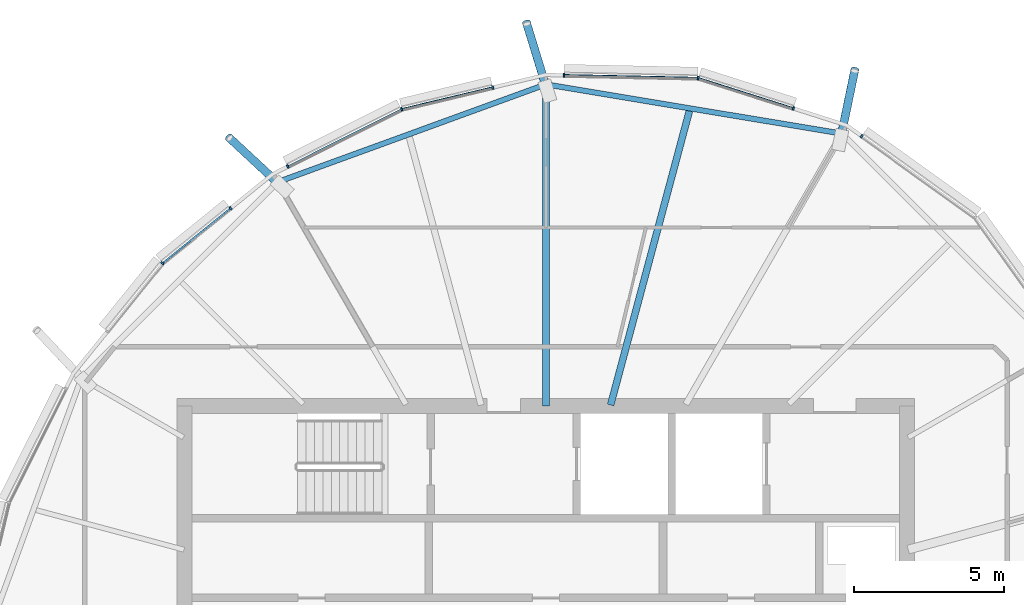
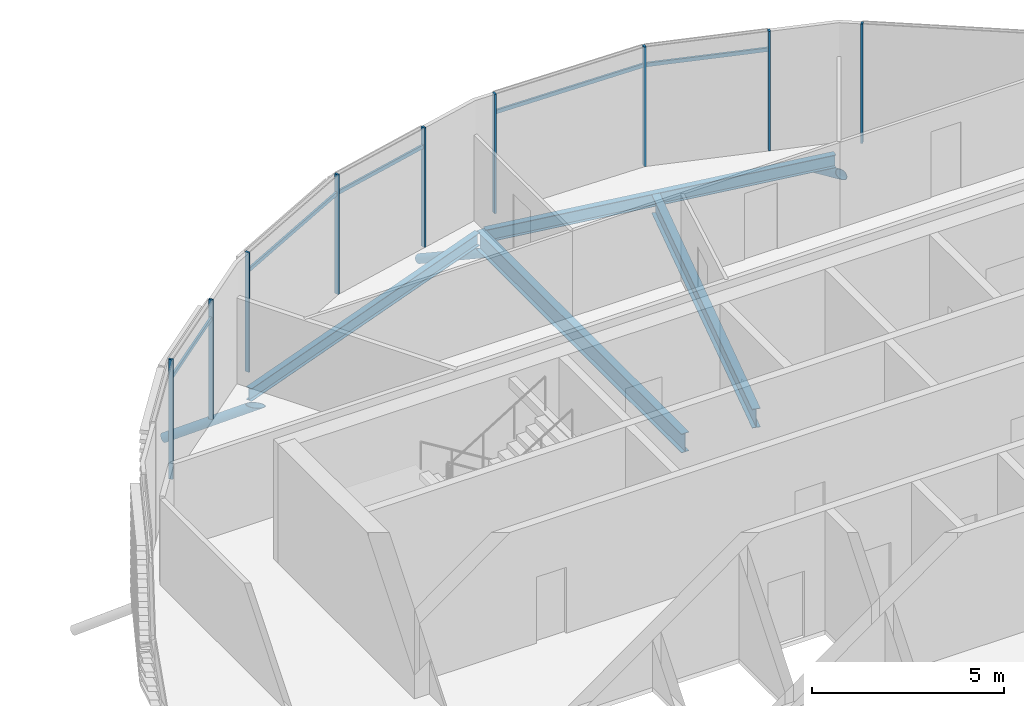
# One storey, part 15 of 36: 17 members, 4 beams, 1 element without a shape of its own.
"""IFC4 building model written with IfcOpenShell, lengths in metres."""

from ifc_helpers import new_model, si_unit, direction, frame, origin, origin_2d, place, context, subcontext, project, spatial, rectangle, hollow_circle, i_section, extrude, clip, halfspace, material, material_profile, profile_set, type_object, element, aggregate, save


model = new_model("IFC4")

# Units and contexts
model_context = context("Model", 3, precision=1e-05, world=origin(), true_north=direction((0.0, 1.0)))
body_context = subcontext(model_context, "Body", "Model", "MODEL_VIEW")
ifc_project = project(units=[si_unit("LENGTHUNIT", "METRE"), si_unit("AREAUNIT", "SQUARE_METRE"), si_unit("VOLUMEUNIT", "CUBIC_METRE"), si_unit("PLANEANGLEUNIT", "RADIAN"), si_unit("MASSUNIT", "GRAM", prefix="KILO")], contexts=[model_context])

# Site, building, storey
site_placement = place(None, origin())
site = spatial("IfcSite", under=ifc_project, at=site_placement, CompositionType="ELEMENT")
building_placement = place(site_placement, origin())
building = spatial("IfcBuilding", under=site, at=building_placement, Name="Rimbun Link Towers", CompositionType="ELEMENT")
storey_placement = place(building_placement, frame((0.0, 0.0, 248.5)))
storey = spatial("IfcBuildingStorey", under=building, at=storey_placement, Name="L61", CompositionType="ELEMENT", Elevation=248.5)

# Curtain wall, members
ifc_material_1 = material(Name="Aluminium 6063-T6 and low-iron glass", Category="aluminium")
curtain_wall_type = type_object("IfcCurtainWallType", Name="CW1-Z4 unitised vision wall (zone 4)", PredefinedType="NOTDEFINED", material=ifc_material_1)
curtain_wall_placement = place(storey_placement, origin())
curtain_wall = element("IfcCurtainWall", 1, at=curtain_wall_placement, inside=storey, type_object=curtain_wall_type, Name="CW1 L61 T2", PredefinedType="NOTDEFINED")
ifc_material_2 = material(Name="Aluminium 6063-T6", Category="aluminium")
ifc_material_profile_1 = material_profile(ifc_material_2, rectangle(XDim=0.1201171875, YDim=0.06005859375, at=origin_2d()), Name="MULLION 60X120")
ifc_profile_set_1 = profile_set([ifc_material_profile_1], Name="Aluminium 6063-T6")
member_type_1 = type_object("IfcMemberType", Name="CW1 mullion 60X120", PredefinedType="MULLION", material=ifc_profile_set_1)
member_1_placement = place(storey_placement, frame((42.24169921875, 16.96630859375, 0.0), z_axis=(0.0, 0.0, 1.0), x_axis=(0.583009413827, 0.812465398272, 0.0)))
member_1 = element("IfcMember", 2, at=member_1_placement, type_object=member_type_1, Name="CW1 mullion", PredefinedType="MULLION", context=body_context, shape_type="SweptSolid", body=[
    extrude(rectangle(XDim=0.1201171875, YDim=0.06005859375, at=origin_2d()), origin(), (0.0, 0.0, 1.0), 3.800048828125),
])
member_2_placement = place(storey_placement, frame((36.80615234375, 18.89208984375, 0.0), z_axis=(0.0, 0.0, 1.0), x_axis=(0.163742013886, 0.986503194566, 0.0)))
member_2 = element("IfcMember", 3, at=member_2_placement, type_object=member_type_1, Name="CW1 mullion", PredefinedType="MULLION", context=body_context, shape_type="SweptSolid", body=[
    extrude(rectangle(XDim=0.1201171875, YDim=0.06005859375, at=origin_2d()), origin(), (0.0, 0.0, 1.0), 3.800048828125),
])
member_3_placement = place(storey_placement, frame((39.974365234375, 17.88525390625, 0.0), z_axis=(0.0, 0.0, 1.0), x_axis=(0.303061432375, 0.952971021704, 0.0)))
member_3 = element("IfcMember", 4, at=member_3_placement, type_object=member_type_1, Name="CW1 mullion", PredefinedType="MULLION", context=body_context, shape_type="SweptSolid", body=[
    extrude(rectangle(XDim=0.1201171875, YDim=0.06005859375, at=origin_2d()), origin(), (0.0, 0.0, 1.0), 3.800048828125),
])
member_4_placement = place(storey_placement, frame((32.35107421875, 18.986572265625, 0.0), z_axis=(0.0, 0.0, 1.0), x_axis=(0.021060266635, 0.999778207989, 0.0)))
member_4 = element("IfcMember", 5, at=member_4_placement, type_object=member_type_1, Name="CW1 mullion", PredefinedType="MULLION", context=body_context, shape_type="SweptSolid", body=[
    extrude(rectangle(XDim=0.1201171875, YDim=0.06005859375, at=origin_2d()), origin(), (0.0, 0.0, 1.0), 3.800048828125),
])
member_5_placement = place(storey_placement, frame((26.960205078125, 17.85498046875, 0.0), z_axis=(0.0, 0.0, 1.0), x_axis=(-0.342965326709, 0.939348063646, 0.0)))
member_5 = element("IfcMember", 6, at=member_5_placement, type_object=member_type_1, Name="CW1 mullion", PredefinedType="MULLION", context=body_context, shape_type="SweptSolid", body=[
    extrude(rectangle(XDim=0.1201171875, YDim=0.06005859375, at=origin_2d()), origin(), (0.0, 0.0, 1.0), 3.800048828125),
])
member_6_placement = place(storey_placement, frame((29.9853515625, 18.578857421875, 0.0), z_axis=(0.0, 0.0, 1.0), x_axis=(-0.232604664363, 0.972571370192, 0.0)))
member_6 = element("IfcMember", 7, at=member_6_placement, type_object=member_type_1, Name="CW1 mullion", PredefinedType="MULLION", context=body_context, shape_type="SweptSolid", body=[
    extrude(rectangle(XDim=0.1201171875, YDim=0.06005859375, at=origin_2d()), origin(), (0.0, 0.0, 1.0), 3.800048828125),
])
member_7_placement = place(storey_placement, frame((23.17626953125, 15.955078125, 0.0), z_axis=(0.0, 0.0, 1.0), x_axis=(-0.4487702901, 0.893647148893, 0.0)))
member_7 = element("IfcMember", 8, at=member_7_placement, type_object=member_type_1, Name="CW1 mullion", PredefinedType="MULLION", context=body_context, shape_type="SweptSolid", body=[
    extrude(rectangle(XDim=0.1201171875, YDim=0.06005859375, at=origin_2d()), origin(), (0.0, 0.0, 1.0), 3.800048828125),
])
member_8_placement = place(storey_placement, frame((19.0126953125, 12.7373046875, 0.0), z_axis=(0.0, 0.0, 1.0), x_axis=(-0.707106781187, 0.707106781187, 0.0)))
member_8 = element("IfcMember", 9, at=member_8_placement, type_object=member_type_1, Name="CW1 mullion", PredefinedType="MULLION", context=body_context, shape_type="SweptSolid", body=[
    extrude(rectangle(XDim=0.1201171875, YDim=0.06005859375, at=origin_2d()), origin(), (0.0, 0.0, 1.0), 3.800048828125),
])
member_9_placement = place(storey_placement, frame((21.27490234375, 14.56884765625, 0.0), z_axis=(0.0, 0.0, 1.0), x_axis=(-0.629159092045, 0.777276551105, 0.0)))
member_9 = element("IfcMember", 10, at=member_9_placement, type_object=member_type_1, Name="CW1 mullion", PredefinedType="MULLION", context=body_context, shape_type="SweptSolid", body=[
    extrude(rectangle(XDim=0.1201171875, YDim=0.06005859375, at=origin_2d()), origin(), (0.0, 0.0, 1.0), 3.800048828125),
])
ifc_material_3 = material(Name="Aluminium 6063-T6", Category="aluminium")
ifc_material_profile_2 = material_profile(ifc_material_3, rectangle(XDim=0.06005859375, YDim=0.1201171875, at=origin_2d()), Name="TRANSOM 60X120")
ifc_profile_set_2 = profile_set([ifc_material_profile_2], Name="Aluminium 6063-T6")
member_type_2 = type_object("IfcMemberType", Name="CW1 transom 60X120", PredefinedType="USERDEFINED", material=ifc_profile_set_2)
member_10_placement = place(storey_placement, frame((36.842529296875, 18.879150390625, 3.199951171875), z_axis=(0.952964178506, -0.30308294984, 0.0), x_axis=(0.30308294984, 0.952964178506, 0.0)))
member_10 = element("IfcMember", 11, at=member_10_placement, type_object=member_type_2, Name="CW1 transom", ObjectType="TRANSOM", PredefinedType="USERDEFINED", context=body_context, shape_type="SweptSolid", body=[
    extrude(rectangle(XDim=0.06005859375, YDim=0.1201171875, at=origin_2d()), origin(), (0.0, 0.0, 1.0), 3.255859375),
])
member_11_placement = place(storey_placement, frame((32.381103515625, 18.98388671875, 3.199951171875), z_axis=(0.999778762712, -0.021033916197, 0.0), x_axis=(0.021033916197, 0.999778762712, 0.0)))
member_11 = element("IfcMember", 12, at=member_11_placement, type_object=member_type_2, Name="CW1 transom", ObjectType="TRANSOM", PredefinedType="USERDEFINED", context=body_context, shape_type="SweptSolid", body=[
    extrude(rectangle(XDim=0.06005859375, YDim=0.1201171875, at=origin_2d()), origin(), (0.0, 0.0, 1.0), 4.387451171875),
])
member_12_placement = place(storey_placement, frame((26.99658203125, 17.862060546875, 3.199951171875), z_axis=(0.972587174135, 0.232538574665, 0.0), x_axis=(-0.232538574665, 0.972587174135, 0.0)))
member_12 = element("IfcMember", 13, at=member_12_placement, type_object=member_type_2, Name="CW1 transom", ObjectType="TRANSOM", PredefinedType="USERDEFINED", context=body_context, shape_type="SweptSolid", body=[
    extrude(rectangle(XDim=0.06005859375, YDim=0.1201171875, at=origin_2d()), origin(), (0.0, 0.0, 1.0), 3.043701171875),
])
member_13_placement = place(storey_placement, frame((23.2041015625, 15.966796875, 3.199951171875), z_axis=(0.893640735388, 0.448783061239, 0.0), x_axis=(-0.448783061239, 0.893640735388, 0.0)))
member_13 = element("IfcMember", 14, at=member_13_placement, type_object=member_type_2, Name="CW1 transom", ObjectType="TRANSOM", PredefinedType="USERDEFINED", context=body_context, shape_type="SweptSolid", body=[
    extrude(rectangle(XDim=0.06005859375, YDim=0.1201171875, at=origin_2d()), origin(), (0.0, 0.0, 1.0), 4.1669921875),
])
member_14_placement = place(storey_placement, frame((19.0419921875, 12.7587890625, 3.199951171875), z_axis=(0.777254865339, 0.629185882158, 0.0), x_axis=(-0.629185882158, 0.777254865339, 0.0)))
member_14 = element("IfcMember", 15, at=member_14_placement, type_object=member_type_2, Name="CW1 transom", ObjectType="TRANSOM", PredefinedType="USERDEFINED", context=body_context, shape_type="SweptSolid", body=[
    extrude(rectangle(XDim=0.06005859375, YDim=0.1201171875, at=origin_2d()), origin(), (0.0, 0.0, 1.0), 2.84423828125),
])
aggregate(curtain_wall, [member_1, member_2, member_3, member_4, member_5, member_6, member_7, member_8, member_9, member_10, member_11, member_12, member_13, member_14])

# Members
ifc_material_4 = material(Name="Steel S355J2H", Category="steel")
ifc_material_profile_3 = material_profile(ifc_material_4, hollow_circle(Radius=0.136474609375, WallThickness=0.012451171875, at=origin_2d()), Name="CHS 273x12.5")
ifc_profile_set_3 = profile_set([ifc_material_profile_3], Name="Steel S355J2H")
member_type_3 = type_object("IfcMemberType", Name="Floor edge link CHS 273x12.5", PredefinedType="BRACE", material=ifc_profile_set_3)
member_15_placement = place(storey_placement, frame((41.56640625, 17.00244140625, -0.791259765625), z_axis=(0.176933554532, 0.851034199825, -0.494403992711), x_axis=(-0.979064233795, 0.203551531813, 0.0)))
element("IfcMember", 16, at=member_15_placement, inside=storey, type_object=member_type_3, Name="Floor edge link T2 L61 01", PredefinedType="BRACE", context=body_context, shape_type="Clipping", body=[
    clip(extrude(hollow_circle(Radius=0.136474609375, WallThickness=0.012451171875, at=origin_2d()), frame((0.0, 0.0, -0.500244140625)), (0.0, 0.0, 1.0), 3.0625), halfspace(frame((0.0, 0.0, -0.23486328125), z_axis=(0.0, 0.869232242839, -0.494403992711)), False)),
])
member_16_placement = place(storey_placement, frame((31.75, 18.632080078125, -0.861328125), z_axis=(-0.255946136331, 0.834933893321, -0.48721347383), x_axis=(-0.95608638303, -0.293085018698, 0.0)))
element("IfcMember", 17, at=member_16_placement, inside=storey, type_object=member_type_3, Name="Floor edge link T2 L61 03", PredefinedType="BRACE", context=body_context, shape_type="Clipping", body=[
    clip(extrude(hollow_circle(Radius=0.136474609375, WallThickness=0.012451171875, at=origin_2d()), frame((0.0, 0.0, -0.510009765625)), (0.0, 0.0, 1.0), 3.04248046875), halfspace(frame((0.0, 0.0, -0.239501953125), z_axis=(0.0, 0.873282904286, -0.48721347383)), False)),
])
member_17_placement = place(storey_placement, frame((22.86328125, 15.39208984375, -0.711181640625), z_axis=(-0.634597583936, 0.589456106316, -0.499827375389), x_axis=(-0.680566979599, -0.732685871489, 0.0)))
element("IfcMember", 18, at=member_17_placement, inside=storey, type_object=member_type_3, Name="Floor edge link T2 L61 05", PredefinedType="BRACE", context=body_context, shape_type="Clipping", body=[
    clip(extrude(hollow_circle(Radius=0.136474609375, WallThickness=0.012451171875, at=origin_2d()), frame((0.0, 0.0, -0.4931640625)), (0.0, 0.0, 1.0), 3.105224609375), halfspace(frame((0.0, 0.0, -0.231689453125), z_axis=(0.0, 0.866125045713, -0.499827375389)), False)),
])

# Beams
ifc_material_5 = material(Name="Steel S355J2", Category="steel")
ifc_material_profile_4 = material_profile(ifc_material_5, i_section(OverallWidth=0.177978515625, OverallDepth=0.406494140625, WebThickness=0.0078125, FlangeThickness=0.0126953125, at=origin_2d()), Name="UB 406x178x60")
ifc_profile_set_4 = profile_set([ifc_material_profile_4], Name="Steel S355J2")
beam_type_1 = type_object("IfcBeamType", Name="UB 406x178x60", PredefinedType="BEAM", material=ifc_profile_set_4)
beam_1_placement = place(storey_placement, frame((41.47998046875, 17.064208984375, -0.34326171875), z_axis=(-0.986454781462, 0.164033423822, 0.0), x_axis=(-0.164033423822, -0.986454781462, 0.0)))
element("IfcBeam", 19, at=beam_1_placement, inside=storey, type_object=beam_type_1, Name="Edge beam T2 L61 01-03", PredefinedType="BEAM", context=body_context, shape_type="SweptSolid", body=[
    extrude(i_section(OverallWidth=0.177978515625, OverallDepth=0.406494140625, WebThickness=0.0078125, FlangeThickness=0.0126953125, at=origin_2d()), origin(), (0.0, 0.0, 1.0), 9.747314453125),
])
beam_2_placement = place(storey_placement, frame((31.63525390625, 18.640380859375, -0.34326171875), z_axis=(-0.939594773088, -0.342288858108, 0.0), x_axis=(0.342288858108, -0.939594773088, 0.0)))
element("IfcBeam", 20, at=beam_2_placement, inside=storey, type_object=beam_type_1, Name="Edge beam T2 L61 03-05", PredefinedType="BEAM", context=body_context, shape_type="SweptSolid", body=[
    extrude(i_section(OverallWidth=0.177978515625, OverallDepth=0.406494140625, WebThickness=0.0078125, FlangeThickness=0.0126953125, at=origin_2d()), origin(), (0.0, 0.0, 1.0), 9.26513671875),
])
ifc_material_6 = material(Name="Steel S355J2", Category="steel")
ifc_material_profile_5 = material_profile(ifc_material_6, i_section(OverallWidth=0.2275390625, OverallDepth=0.6025390625, WebThickness=0.010498046875, FlangeThickness=0.014892578125, at=origin_2d()), Name="UB 610x229x101")
ifc_profile_set_5 = profile_set([ifc_material_profile_5], Name="Steel S355J2")
beam_type_2 = type_object("IfcBeamType", Name="UB 610x229x101", PredefinedType="BEAM", material=ifc_profile_set_5)
beam_3_placement = place(storey_placement, frame((33.901611328125, 8.030517578125, -0.44140625), z_axis=(0.258816538161, 0.965926498018, 0.0), x_axis=(-0.965926498018, 0.258816538161, 0.0)))
element("IfcBeam", 21, at=beam_3_placement, inside=storey, type_object=beam_type_2, Name="Radial beam T2 L61 02", PredefinedType="BEAM", context=body_context, shape_type="SweptSolid", body=[
    extrude(i_section(OverallWidth=0.2275390625, OverallDepth=0.6025390625, WebThickness=0.010498046875, FlangeThickness=0.014892578125, at=origin_2d()), origin(), (0.0, 0.0, 1.0), 10.112060546875),
])
beam_4_placement = place(storey_placement, frame((31.75, 8.0009765625, -0.44140625), z_axis=(0.0, 1.0, 0.0), x_axis=(-1.0, 0.0, 0.0)))
element("IfcBeam", 22, at=beam_4_placement, inside=storey, type_object=beam_type_2, Name="Radial beam T2 L61 03", PredefinedType="BEAM", context=body_context, shape_type="SweptSolid", body=[
    extrude(i_section(OverallWidth=0.2275390625, OverallDepth=0.6025390625, WebThickness=0.010498046875, FlangeThickness=0.014892578125, at=origin_2d()), origin(), (0.0, 0.0, 1.0), 10.68115234375),
])

save(model, "model.ifc")
